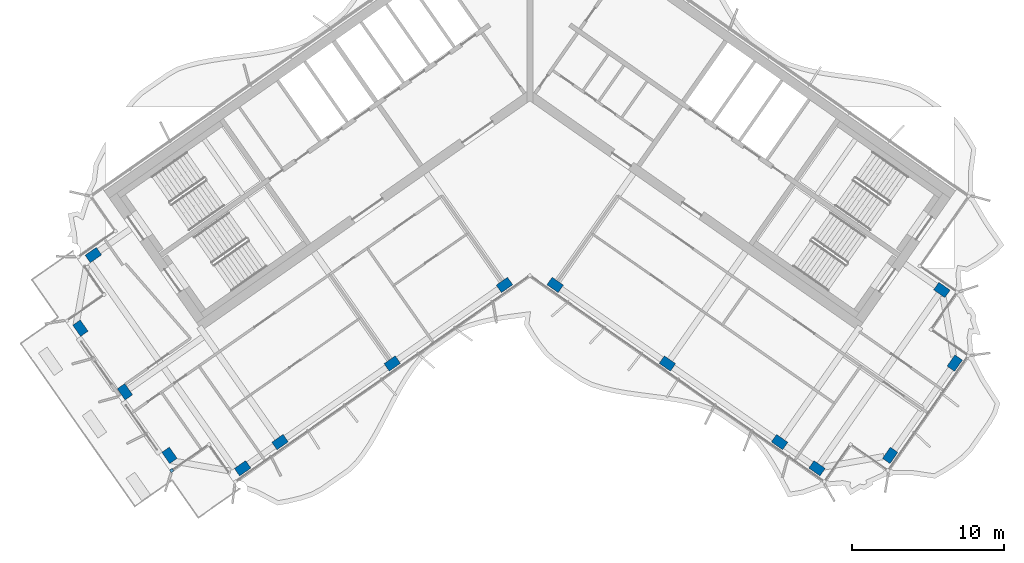
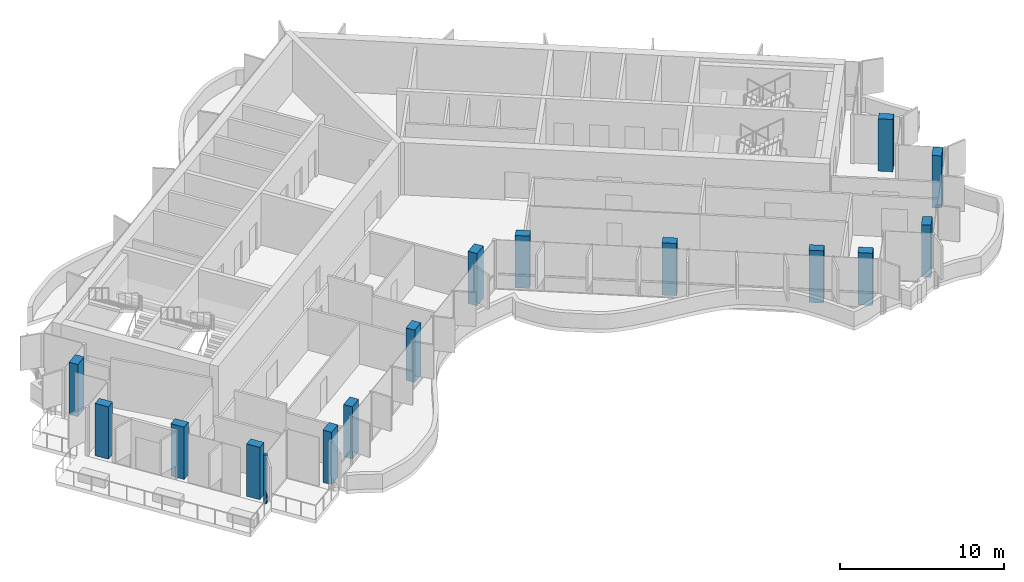
# One storey, part 1 of 18: 15 columns, 1 member, 1 element without a shape of its own.
"""IFC4 building model written with IfcOpenShell, lengths in metres."""

from ifc_helpers import new_model, si_unit, direction, frame, origin, origin_2d, place, context, subcontext, project, spatial, rectangle, extrude, material, material_profile, profile_set, type_object, element, aggregate, save


model = new_model("IFC4")

# Units and contexts
model_context = context("Model", 3, precision=1e-05, world=origin(), true_north=direction((0.0, 1.0)))
body_context = subcontext(model_context, "Body", "Model", "MODEL_VIEW")
ifc_project = project(units=[si_unit("LENGTHUNIT", "METRE"), si_unit("AREAUNIT", "SQUARE_METRE"), si_unit("VOLUMEUNIT", "CUBIC_METRE"), si_unit("PLANEANGLEUNIT", "RADIAN"), si_unit("MASSUNIT", "GRAM", prefix="KILO")], contexts=[model_context])

# Site, building, storey
site_placement = place(None, origin())
site = spatial("IfcSite", under=ifc_project, at=site_placement, CompositionType="ELEMENT")
building_placement = place(site_placement, origin())
building = spatial("IfcBuilding", under=site, at=building_placement, Name="Tel Ilan Convention Tower", CompositionType="ELEMENT")
storey_placement = place(building_placement, frame((0.0, 0.0, 295.60009765625)))
storey = spatial("IfcBuildingStorey", under=building, at=storey_placement, Name="L70", CompositionType="ELEMENT", Elevation=295.60009765625)

# Columns
ifc_material_1 = material(Name="Concrete C40/50", Category="concrete")
ifc_material_profile_1 = material_profile(ifc_material_1, rectangle(XDim=0.89990234375, YDim=0.60009765625, at=origin_2d()), Name="RC 600x900")
ifc_profile_set_1 = profile_set([ifc_material_profile_1], Name="Concrete C40/50")
column_type = type_object("IfcColumnType", Name="Column RC 600x900 C40/50", PredefinedType="COLUMN", material=ifc_profile_set_1)
for number, where, z_axis, x_axis, name in (
    (1, (-1.665283203125, -13.312744140625, 0.0), (0.0, 0.0, 1.0), (-0.819152044289, -0.573576436351, 0.0), "L70 column W-F1"),
    (2, (-9.03759765625, -18.474853515625, 0.0), (0.0, 0.0, 1.0), (-0.819152044289, -0.573576436351, 0.0), "L70 column W-F2"),
    (3, (-16.409912109375, -23.63720703125, 0.0), (0.0, 0.0, 1.0), (-0.819152044289, -0.573576436351, 0.0), "L70 column W-F3"),
    (4, (-18.867431640625, -25.35791015625, 0.0), (0.0, 0.0, 1.0), (-0.819152044289, -0.573576436351, 0.0), "L70 column W-FC"),
    (5, (-28.675537109375, -11.350341796875, 0.0), (0.0, 0.0, 1.0), (-0.819152044289, -0.573576436351, 0.0), "L70 column W-BC"),
    (6, (-23.67236328125, -24.510498046875, 0.0), (0.0, 0.0, 1.0), (-0.573576436351, 0.819152044289, 0.0), "L70 column W-E1"),
    (7, (-26.59765625, -20.3330078125, 0.0), (0.0, 0.0, 1.0), (-0.573576436351, 0.819152044289, 0.0), "L70 column W-E2"),
    (8, (-29.52294921875, -16.1552734375, 0.0), (0.0, 0.0, 1.0), (-0.573576436351, 0.819152044289, 0.0), "L70 column W-E3"),
    (9, (1.665283203125, -13.312744140625, 0.0), (0.0, 0.0, 1.0), (0.819152044289, -0.573576436351, 0.0), "L70 column E-F1"),
    (10, (9.03759765625, -18.474853515625, 0.0), (0.0, 0.0, 1.0), (0.819152044289, -0.573576436351, 0.0), "L70 column E-F2"),
    (11, (16.409912109375, -23.63720703125, 0.0), (0.0, 0.0, 1.0), (0.819152044289, -0.573576436351, 0.0), "L70 column E-F3"),
    (12, (18.867431640625, -25.35791015625, 0.0), (0.0, 0.0, 1.0), (0.819152044289, -0.573576436351, 0.0), "L70 column E-FC"),
    (13, (27.069580078125, -13.64404296875, 0.0), (0.0, 0.0, 1.0), (0.819152044289, -0.573576436351, 0.0), "L70 column E-BC"),
    (14, (23.67236328125, -24.510498046875, 0.0), (0.0, 0.0, 1.0), (0.573576436351, 0.819152044289, 0.0), "L70 column E-E1"),
    (15, (27.9169921875, -18.448974609375, 0.0), (0.0, 0.0, 1.0), (0.573576436351, 0.819152044289, 0.0), "L70 column E-E2"),
):
    element("IfcColumn", number, at=place(storey_placement, frame(where, z_axis=z_axis, x_axis=x_axis)), inside=storey, type_object=column_type, Name=name, PredefinedType="COLUMN", context=body_context, shape_type="SweptSolid", body=[
        extrude(rectangle(XDim=0.89990234375, YDim=0.60009765625, at=origin_2d()), origin(), (0.0, 0.0, 1.0), 3.89990234375),
    ])

# Curtain wall, member
ifc_material_2 = material(Name="Aluminium, bronze anodised", Category="aluminium")
curtain_wall_type = type_object("IfcCurtainWallType", Name="CW5 STICK CURTAIN WALL, UPPER OFFICE LOW-IRON TINTED GLASS", PredefinedType="NOTDEFINED", material=ifc_material_2)
curtain_wall_placement = place(storey_placement, origin())
curtain_wall = element("IfcCurtainWall", 16, at=curtain_wall_placement, inside=storey, type_object=curtain_wall_type, Name="Curtain wall CW5-53.04", PredefinedType="NOTDEFINED")
ifc_material_3 = material(Name="Aluminium, bronze anodised", Category="aluminium")
ifc_material_profile_2 = material_profile(ifc_material_3, rectangle(XDim=0.199951171875, YDim=0.199951171875, at=origin_2d()), Name="CW CORNER MULLION 200x200")
ifc_profile_set_2 = profile_set([ifc_material_profile_2], Name="Aluminium, bronze anodised")
member_type = type_object("IfcMemberType", Name="CW CORNER MULLION 200x200", PredefinedType="MULLION", material=ifc_profile_set_2)
member_placement = place(storey_placement, frame((-23.52490234375, -25.505859375, 0.0), z_axis=(0.0, 0.0, 1.0), x_axis=(0.573576436351, -0.819152044289, 0.0)))
member = element("IfcMember", 17, at=member_placement, type_object=member_type, Name="Corner mullion", PredefinedType="MULLION", context=body_context, shape_type="SweptSolid", body=[
    extrude(rectangle(XDim=0.199951171875, YDim=0.199951171875, at=origin_2d()), origin(), (0.0, 0.0, 1.0), 3.619873046875),
])
aggregate(curtain_wall, [member])

save(model, "model.ifc")
